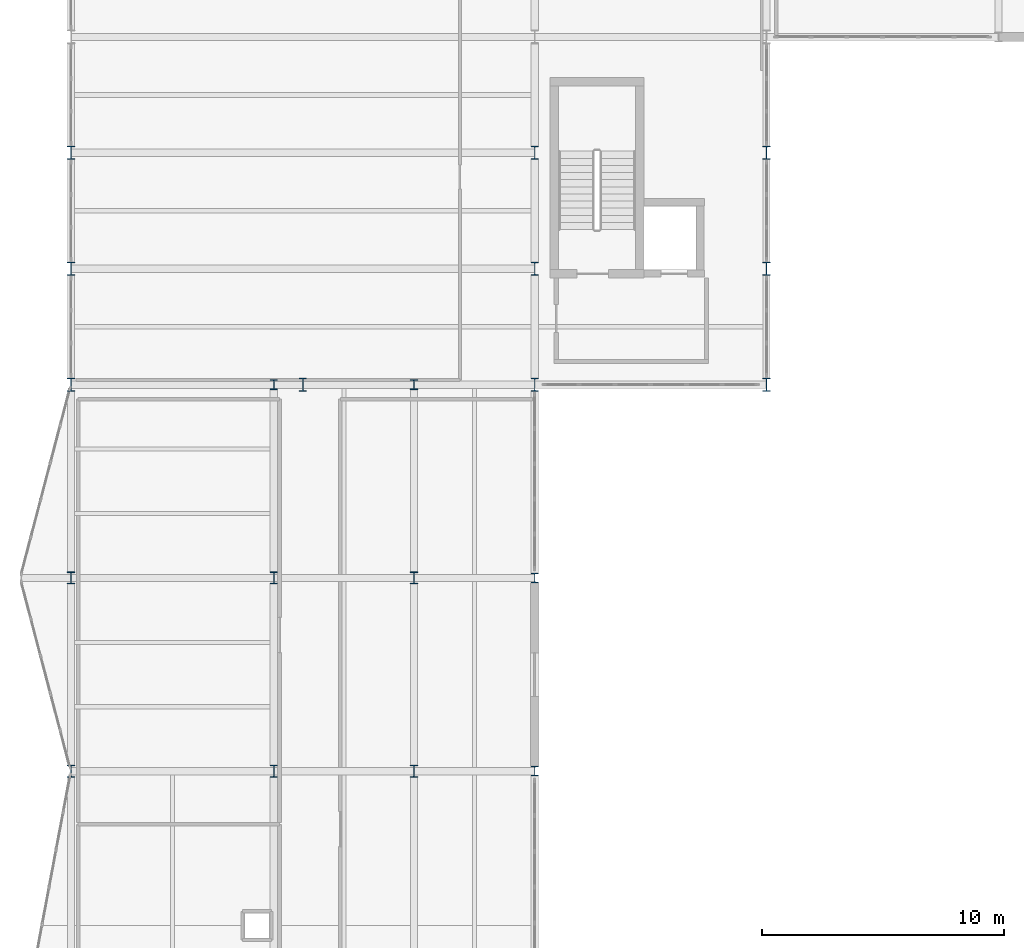
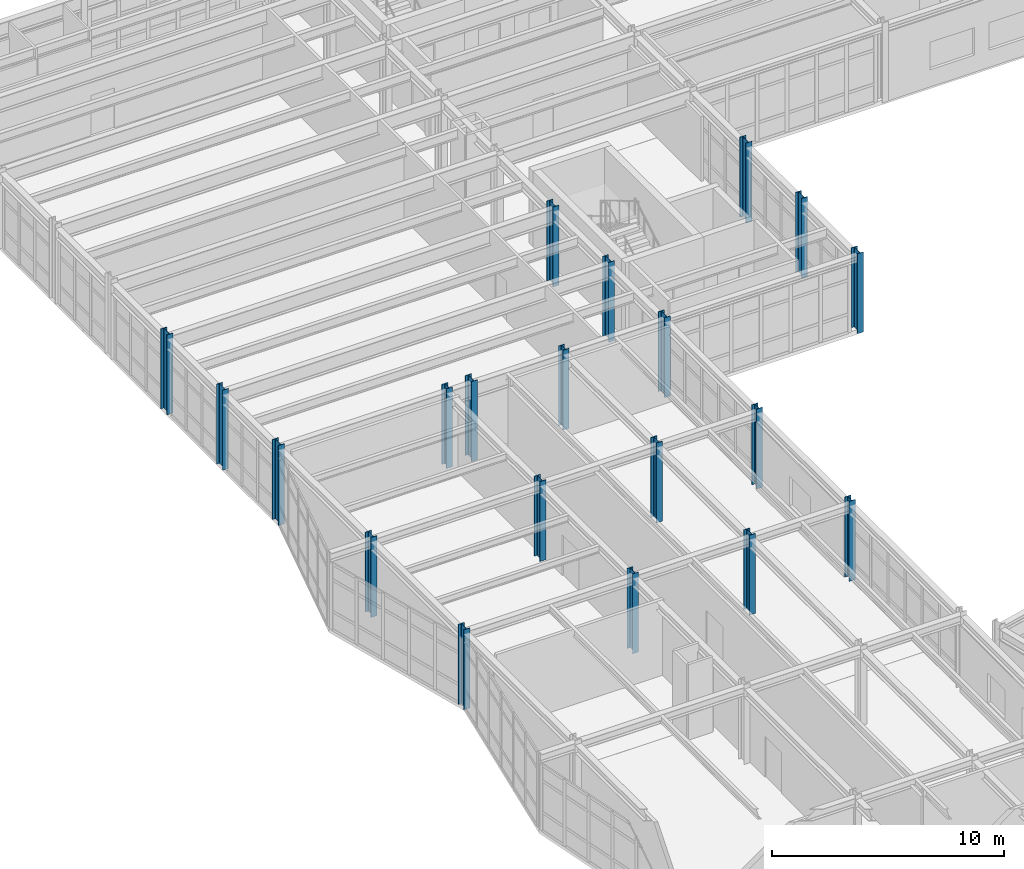
# One storey, part 4 of 88: 20 columns.
"""IFC4 building model written with IfcOpenShell, lengths in metres."""

import ifcopenshell
import ifcopenshell.guid

model = None  # the IFC model being written
_history = None  # IfcOwnerHistory: only IFC2X3 demands one
_inside = {}  # id of a spatial element -> (the spatial element, [elements in it])
_under = {}  # id of a project, library or spatial element -> (it, [spatial elements below it])
_declared = {}  # id of a project -> (the project, [libraries it declares])
_typed = {}  # id of a type object -> (the type object, [elements of that type])
_made_of = {}  # id of a material, layer set ... -> (it, [elements and type objects made of it])


def new_model(schema):
    """Start an empty IFC model of exactly this schema.

    Asked for "IFC4X3", IfcOpenShell would pick the latest addendum, in which some entities
    have other attributes; the version numbers below select the first issue.
    IFC2X3 requires an IfcOwnerHistory on every rooted entity: one is made here for all.
    """
    global model, _history
    if schema == "IFC4X3":
        model = ifcopenshell.file(schema_version=(4, 3, 0, 0))
    else:
        model = ifcopenshell.file(schema=schema)
    _inside.clear()
    _under.clear()
    _declared.clear()
    _typed.clear()
    _made_of.clear()
    _history = None
    if model.schema == "IFC2X3":
        org = make("IfcOrganization", Name="unknown")
        user = make(
            "IfcPersonAndOrganization",
            ThePerson=make("IfcPerson", FamilyName="unknown"),
            TheOrganization=org,
        )
        app = make(
            "IfcApplication",
            ApplicationDeveloper=org,
            Version="unknown",
            ApplicationFullName="unknown",
            ApplicationIdentifier="unknown",
        )
        _history = make(
            "IfcOwnerHistory",
            OwningUser=user,
            OwningApplication=app,
            ChangeAction="ADDED",
            CreationDate=0,
        )
    return model


def make(cls, **values):
    """One entity of the class cls with the attributes given. An attribute that is None is left unset."""
    return model.create_entity(
        cls, **{name: value for name, value in values.items() if value is not None}
    )


def rooted(cls, **values):
    """An entity with a GlobalId (a new one), such as an element, a storey or a relation."""
    return make(cls, GlobalId=ifcopenshell.guid.new(), OwnerHistory=_history, **values)


def si_unit(unit_type, name, prefix=None):
    """IfcSIUnit, for example si_unit("LENGTHUNIT", "METRE", prefix="MILLI")."""
    return make("IfcSIUnit", UnitType=unit_type, Prefix=prefix, Name=name)


def assignment(units):
    """IfcUnitAssignment: the units of a project."""
    return None if units is None else make("IfcUnitAssignment", Units=units)


def point(xyz):
    """IfcCartesianPoint."""
    return None if xyz is None else make("IfcCartesianPoint", Coordinates=xyz)


def direction(xyz):
    """IfcDirection."""
    return None if xyz is None else make("IfcDirection", DirectionRatios=xyz)


def frame(location, z_axis=None, x_axis=None):
    """IfcAxis2Placement3D, a coordinate frame: its origin and axes. An axis left out is left unset."""
    return make(
        "IfcAxis2Placement3D",
        Location=point(location),
        Axis=direction(z_axis),
        RefDirection=direction(x_axis),
    )


def frame_2d(location, x_axis=None):
    """IfcAxis2Placement2D, a coordinate frame in the plane: its origin and x axis."""
    return make(
        "IfcAxis2Placement2D", Location=point(location), RefDirection=direction(x_axis)
    )


def origin():
    """The frame at (0, 0, 0) with its axes left unset."""
    return frame((0.0, 0.0, 0.0))


def origin_2d():
    """The frame at (0, 0) in the plane with its x axis left unset."""
    return frame_2d((0.0, 0.0))


def place(relative_to, where):
    """IfcLocalPlacement: puts the frame where relative to a parent placement (None: the world)."""
    return make(
        "IfcLocalPlacement", PlacementRelTo=relative_to, RelativePlacement=where
    )


def context(
    kind, dimensions, precision=None, world=None, true_north=None, identifier=None
):
    """IfcGeometricRepresentationContext, for example the 3D "Model" context."""
    return make(
        "IfcGeometricRepresentationContext",
        ContextIdentifier=identifier,
        ContextType=kind,
        CoordinateSpaceDimension=dimensions,
        Precision=precision,
        WorldCoordinateSystem=world,
        TrueNorth=true_north,
    )


def subcontext(parent, identifier, kind, view, scale=None):
    """IfcGeometricRepresentationSubContext, for example "Body" below "Model"."""
    return make(
        "IfcGeometricRepresentationSubContext",
        ContextIdentifier=identifier,
        ContextType=kind,
        ParentContext=parent,
        TargetScale=scale,
        TargetView=view,
    )


def project(units=None, contexts=None):
    """IfcProject with its units and contexts."""
    return rooted(
        "IfcProject",
        Name="project",
        RepresentationContexts=contexts,
        UnitsInContext=assignment(units),
    )


def spatial(cls, under=None, at=None, **own):
    """A site, building, storey or space (cls), placed at a placement, below another one or the project."""
    s = rooted(cls, ObjectPlacement=at, **own)
    if under is not None:
        _under.setdefault(under.id(), (under, []))[1].append(s)
    return s


def profile(cls, at=None, kind="AREA", **sizes):
    """A parametric profile (cls). Its sizes go by their IFC names, for example OverallWidth=200.0."""
    return make(cls, ProfileType=kind, Position=at, **sizes)


def i_section(**sizes):
    """IfcIShapeProfileDef."""
    return profile("IfcIShapeProfileDef", **sizes)


def extrude(swept, where, along, depth):
    """IfcExtrudedAreaSolid: the profile swept, set in the frame where, extruded along a direction by depth."""
    return make(
        "IfcExtrudedAreaSolid",
        SweptArea=swept,
        Position=where,
        ExtrudedDirection=direction(along),
        Depth=depth,
    )


def shape(context_of_items, identifier, shape_type, items):
    """IfcShapeRepresentation: the items that make up one representation, for example the "Body"."""
    return make(
        "IfcShapeRepresentation",
        ContextOfItems=context_of_items,
        RepresentationIdentifier=identifier,
        RepresentationType=shape_type,
        Items=items,
    )


def material(Name=None, Category=None):
    """IfcMaterial."""
    return make("IfcMaterial", Name=Name, Category=Category)


def material_profile(
    of_material, cross_section, Name=None, Category=None, Priority=None
):
    """IfcMaterialProfile: a cross section and its material."""
    return make(
        "IfcMaterialProfile",
        Name=Name,
        Material=of_material,
        Profile=cross_section,
        Priority=Priority,
        Category=Category,
    )


def profile_set(profiles, Name=None, composite=None):
    """IfcMaterialProfileSet."""
    return make(
        "IfcMaterialProfileSet",
        Name=Name,
        MaterialProfiles=profiles,
        CompositeProfile=composite,
    )


def made_of(thing, what):
    """Note that an element or type object is made of a material, layer set ...; save() writes the relation."""
    if what is not None:
        _made_of.setdefault(what.id(), (what, []))[1].append(thing)
    return thing


def type_object(cls, material=None, **own):
    """A type object (cls), such as IfcWallType, which elements share."""
    return made_of(rooted(cls, **own), material)


def element(
    cls,
    number,
    at=None,
    inside=None,
    cuts=None,
    type_object=None,
    material=None,
    context=None,
    identifier="Body",
    shape_type=None,
    held_by="IfcProductDefinitionShape",
    body=None,
    shapes=None,
    **own,
):
    """One element of the class cls, such as IfcWall. Its Tag is "e" and its number.

    at: its placement. inside: the storey or other place that contains it. cuts: it is an
    opening in that element (IfcRelVoidsElement). A single representation is given by context,
    identifier, shape_type and body (its items); several are given by shapes. held_by: the class
    of the entity that holds the representations. save() writes the other relations.
    """
    e = rooted(cls, Tag="e%d" % number, ObjectPlacement=at, **own)
    if body is not None:
        shapes = [shape(context, identifier, shape_type, body)]
    if shapes is not None:
        e.Representation = make(held_by, Representations=shapes)
    if inside is not None:
        _inside.setdefault(inside.id(), (inside, []))[1].append(e)
    if cuts is not None:
        rooted(
            "IfcRelVoidsElement", RelatingBuildingElement=cuts, RelatedOpeningElement=e
        )
    if type_object is not None:
        _typed.setdefault(type_object.id(), (type_object, []))[1].append(e)
    return made_of(e, material)


def aggregate(whole, parts):
    """IfcRelAggregates: a whole, such as a stair, and the parts it consists of."""
    return rooted("IfcRelAggregates", RelatingObject=whole, RelatedObjects=parts)


def save(model, path):
    """Write the relations noted so far, then the file.

    IfcRelAggregates (storeys below a building ...), IfcRelContainedInSpatialStructure (elements
    in a storey), IfcRelDefinesByType, IfcRelAssociatesMaterial and IfcRelDeclares: one each for
    every whole, place, type object, material and project.
    """
    for whole, parts in _under.values():
        aggregate(whole, parts)
    for where, things in _inside.values():
        rooted(
            "IfcRelContainedInSpatialStructure",
            RelatedElements=things,
            RelatingStructure=where,
        )
    for kind, things in _typed.values():
        rooted("IfcRelDefinesByType", RelatedObjects=things, RelatingType=kind)
    for what, things in _made_of.values():
        rooted("IfcRelAssociatesMaterial", RelatedObjects=things, RelatingMaterial=what)
    for by, libraries in _declared.values():
        rooted("IfcRelDeclares", RelatingContext=by, RelatedDefinitions=libraries)
    model.write(path)


model = new_model("IFC4")

# Units and contexts
model_context = context("Model", 3, precision=1e-05, world=origin(), true_north=direction((0.0, 1.0)))
body_context = subcontext(model_context, "Body", "Model", "MODEL_VIEW")
ifc_project = project(units=[si_unit("LENGTHUNIT", "METRE"), si_unit("AREAUNIT", "SQUARE_METRE"), si_unit("VOLUMEUNIT", "CUBIC_METRE"), si_unit("PLANEANGLEUNIT", "RADIAN"), si_unit("MASSUNIT", "GRAM", prefix="KILO")], contexts=[model_context])

# Site, building, storey
site_placement = place(None, origin())
site = spatial("IfcSite", under=ifc_project, at=site_placement, CompositionType="ELEMENT")
building_placement = place(site_placement, origin())
building = spatial("IfcBuilding", under=site, at=building_placement, Name="Nordkorset Police Headquarters", CompositionType="ELEMENT")
storey_placement = place(building_placement, frame((0.0, 0.0, 9.449951171875)))
storey = spatial("IfcBuildingStorey", under=building, at=storey_placement, Name="L02", CompositionType="ELEMENT", Elevation=9.449951171875)

# Columns
ifc_material_1 = material(Name="Steel S355J2", Category="steel")
ifc_material_profile_1 = material_profile(ifc_material_1, i_section(OverallWidth=0.300048828125, OverallDepth=0.39990234375, WebThickness=0.013427734375, FlangeThickness=0.02392578125, FilletRadius=0.027099609375, at=origin_2d()), Name="HEB 400")
ifc_profile_set_1 = profile_set([ifc_material_profile_1], Name="Steel S355J2")
column_type_1 = type_object("IfcColumnType", Name="Col_HEB_400", PredefinedType="COLUMN", material=ifc_profile_set_1)
for number, where, z_axis, x_axis, name in (
    (1, (19.199951171875, 67.199951171875, 0.0), (0.0, 0.0, 1.0), (1.0, 0.0, 0.0), "Structural Column V3_X3_4 L02"),
    (2, (19.199951171875, 75.199951171875, 0.0), (0.0, 0.0, 1.0), (1.0, 0.0, 0.0), "Structural Column V3_X3_5 L02"),
    (3, (8.39990234375, 83.199951171875, 0.0), (0.0, 0.0, 1.0), (1.0, 0.0, 0.0), "Structural Column V3_X1_6 L02"),
    (4, (14.199951171875, 83.199951171875, 0.0), (0.0, 0.0, 1.0), (1.0, 0.0, 0.0), "Structural Column V3_X2_6 L02"),
):
    element("IfcColumn", number, at=place(storey_placement, frame(where, z_axis=z_axis, x_axis=x_axis)), inside=storey, type_object=column_type_1, Name=name, PredefinedType="COLUMN", context=body_context, shape_type="SweptSolid", body=[
        extrude(i_section(OverallWidth=0.300048828125, OverallDepth=0.39990234375, WebThickness=0.013427734375, FlangeThickness=0.02392578125, FilletRadius=0.027099609375, at=origin_2d()), origin(), (0.0, 0.0, 1.0), 4.199951171875),
    ])
ifc_material_2 = material(Name="Steel S355J2", Category="steel")
ifc_material_profile_2 = material_profile(ifc_material_2, i_section(OverallWidth=0.300048828125, OverallDepth=0.5, WebThickness=0.014404296875, FlangeThickness=0.028076171875, FilletRadius=0.027099609375, at=origin_2d()), Name="HEB 500")
ifc_profile_set_2 = profile_set([ifc_material_profile_2], Name="Steel S355J2")
column_type_2 = type_object("IfcColumnType", Name="Col_HEB_500", PredefinedType="COLUMN", material=ifc_profile_set_2)
for number, where, z_axis, x_axis, name in (
    (5, (0.0, 67.199951171875, 0.0), (0.0, 0.0, 1.0), (1.0, 0.0, 0.0), "Structural Column V3_X0_4 L02"),
    (6, (8.39990234375, 67.199951171875, 0.0), (0.0, 0.0, 1.0), (1.0, 0.0, 0.0), "Structural Column V3_X1_4 L02"),
    (7, (14.199951171875, 67.199951171875, 0.0), (0.0, 0.0, 1.0), (1.0, 0.0, 0.0), "Structural Column V3_X2_4 L02"),
    (8, (0.0, 75.199951171875, 0.0), (0.0, 0.0, 1.0), (1.0, 0.0, 0.0), "Structural Column V3_X0_5 L02"),
    (9, (8.39990234375, 75.199951171875, 0.0), (0.0, 0.0, 1.0), (1.0, 0.0, 0.0), "Structural Column V3_X1_5 L02"),
    (10, (14.199951171875, 75.199951171875, 0.0), (0.0, 0.0, 1.0), (1.0, 0.0, 0.0), "Structural Column V3_X2_5 L02"),
):
    element("IfcColumn", number, at=place(storey_placement, frame(where, z_axis=z_axis, x_axis=x_axis)), inside=storey, type_object=column_type_2, Name=name, PredefinedType="COLUMN", context=body_context, shape_type="SweptSolid", body=[
        extrude(i_section(OverallWidth=0.300048828125, OverallDepth=0.5, WebThickness=0.014404296875, FlangeThickness=0.028076171875, FilletRadius=0.027099609375, at=origin_2d()), origin(), (0.0, 0.0, 1.0), 4.199951171875),
    ])
ifc_material_3 = material(Name="Steel S355J2", Category="steel")
ifc_material_profile_3 = material_profile(ifc_material_3, i_section(OverallWidth=0.300048828125, OverallDepth=0.550048828125, WebThickness=0.014892578125, FlangeThickness=0.029052734375, FilletRadius=0.027099609375, at=origin_2d()), Name="HEB 550")
ifc_profile_set_3 = profile_set([ifc_material_profile_3], Name="Steel S355J2")
column_type_3 = type_object("IfcColumnType", Name="Col_HEB_550", PredefinedType="COLUMN", material=ifc_profile_set_3)
for number, where, z_axis, x_axis, name in (
    (11, (0.0, 83.199951171875, 0.0), (0.0, 0.0, 1.0), (1.0, 0.0, 0.0), "Structural Column V1_W_0 L02"),
    (12, (28.800048828125, 83.199951171875, 0.0), (0.0, 0.0, 1.0), (1.0, 0.0, 0.0), "Structural Column V1_E_0 L02"),
    (13, (0.0, 88.0, 0.0), (0.0, 0.0, 1.0), (1.0, 0.0, 0.0), "Structural Column V1_W_1 L02"),
    (14, (28.800048828125, 88.0, 0.0), (0.0, 0.0, 1.0), (1.0, 0.0, 0.0), "Structural Column V1_E_1 L02"),
    (15, (0.0, 92.800048828125, 0.0), (0.0, 0.0, 1.0), (1.0, 0.0, 0.0), "Structural Column V1_W_2 L02"),
    (16, (28.800048828125, 92.800048828125, 0.0), (0.0, 0.0, 1.0), (1.0, 0.0, 0.0), "Structural Column V1_E_2 L02"),
    (17, (9.60009765625, 83.199951171875, 0.0), (0.0, 0.0, 1.0), (1.0, 0.0, 0.0), "Structural Column V1_S_0 L02"),
    (18, (19.199951171875, 83.199951171875, 0.0), (0.0, 0.0, 1.0), (1.0, 0.0, 0.0), "Structural Column V1_S_1 L02"),
    (19, (19.199951171875, 88.0, 0.0), (0.0, 0.0, 1.0), (1.0, 0.0, 0.0), "Structural Column V1_CW_0 L02"),
    (20, (19.199951171875, 92.800048828125, 0.0), (0.0, 0.0, 1.0), (1.0, 0.0, 0.0), "Structural Column V1_CW_1 L02"),
):
    element("IfcColumn", number, at=place(storey_placement, frame(where, z_axis=z_axis, x_axis=x_axis)), inside=storey, type_object=column_type_3, Name=name, PredefinedType="COLUMN", context=body_context, shape_type="SweptSolid", body=[
        extrude(i_section(OverallWidth=0.300048828125, OverallDepth=0.550048828125, WebThickness=0.014892578125, FlangeThickness=0.029052734375, FilletRadius=0.027099609375, at=origin_2d()), origin(), (0.0, 0.0, 1.0), 4.199951171875),
    ])

save(model, "model.ifc")
